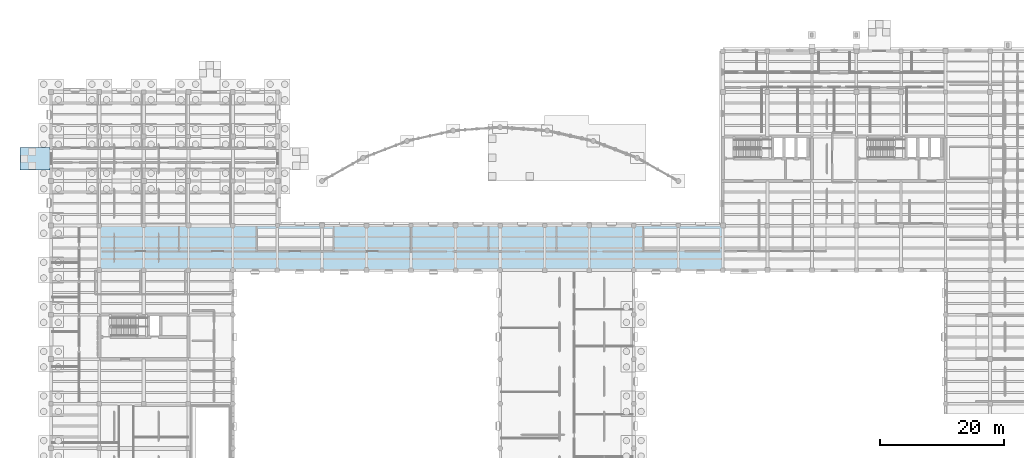
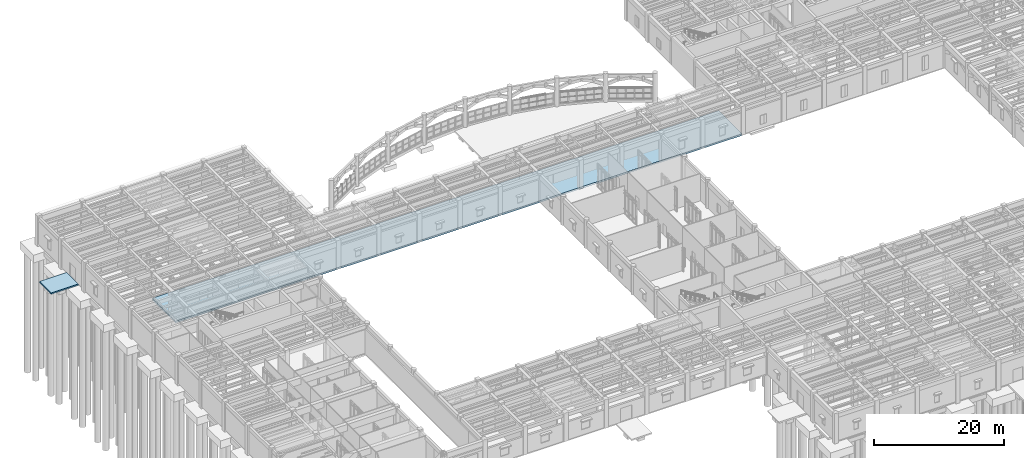
# One storey, part 57 of 100: 2 slabs.
"""IFC4 building model written with IfcOpenShell, lengths in metres."""

from ifc_helpers import new_model, si_unit, direction, frame, origin, place, context, subcontext, project, spatial, polyline, outline, extrude, material, layer, layer_set, type_object, element, save


model = new_model("IFC4")

# Units and contexts
model_context = context("Model", 3, precision=1e-05, world=origin(), true_north=direction((0.0, 1.0)))
body_context = subcontext(model_context, "Body", "Model", "MODEL_VIEW")
ifc_project = project(units=[si_unit("LENGTHUNIT", "METRE"), si_unit("AREAUNIT", "SQUARE_METRE"), si_unit("VOLUMEUNIT", "CUBIC_METRE"), si_unit("PLANEANGLEUNIT", "RADIAN"), si_unit("MASSUNIT", "GRAM", prefix="KILO")], contexts=[model_context])

# Site, building, storey
site_placement = place(None, origin())
site = spatial("IfcSite", under=ifc_project, at=site_placement, CompositionType="ELEMENT")
building_placement = place(site_placement, origin())
building = spatial("IfcBuilding", under=site, at=building_placement, Name="Mithqara Police Headquarters", CompositionType="ELEMENT")
storey_placement = place(building_placement, origin())
storey = spatial("IfcBuildingStorey", under=building, at=storey_placement, Name="L00", CompositionType="ELEMENT", Elevation=0.0)

# Slabs
ifc_material = material(Name="Concrete C40/50", Category="concrete")
ifc_layer_1 = layer(ifc_material, 0.320068359375, Name="Concrete C40/50")
ifc_layer_set_1 = layer_set([ifc_layer_1], Name="Concrete C40/50")
slab_type_1 = type_object("IfcSlabType", Name="FLOOR SLAB 320", PredefinedType="FLOOR", material=ifc_layer_set_1)
slab_1_placement = place(storey_placement, frame((0.0, 0.0, -0.320068359375)))
element("IfcSlab", 1, at=slab_1_placement, inside=storey, type_object=slab_type_1, Name="L00 Structural Slab L00-V4A", PredefinedType="FLOOR", context=body_context, shape_type="SweptSolid", body=[
    extrude(outline(polyline([(108.60009765625, 78.60009765625), (7.800048828125, 78.60009765625), (7.800048828125, 85.800048828125), (36.60009765625, 85.800048828125), (108.60009765625, 85.800048828125), (108.60009765625, 78.60009765625)])), origin(), (0.0, 0.0, 1.0), 0.320068359375),
])
ifc_layer_2 = layer(ifc_material, 0.260009765625, Name="Concrete C40/50")
ifc_layer_set_2 = layer_set([ifc_layer_2], Name="Concrete C40/50")
slab_type_2 = type_object("IfcSlabType", Name="PAVING SLAB 260", PredefinedType="FLOOR", material=ifc_layer_set_2)
slab_2_placement = place(storey_placement, frame((0.0, 0.0, -0.260009765625)))
element("IfcSlab", 2, at=slab_2_placement, inside=storey, type_object=slab_type_2, Name="Ground Exit Threshold Apron 8", PredefinedType="FLOOR", context=body_context, shape_type="SweptSolid", body=[
    extrude(outline(polyline([(-0.159912109375, 94.800048828125), (-5.010009765625, 94.800048828125), (-5.010009765625, 98.39990234375), (-0.159912109375, 98.39990234375), (-0.159912109375, 94.800048828125)])), origin(), (0.0, 0.0, 1.0), 0.260009765625),
])

save(model, "model.ifc")
